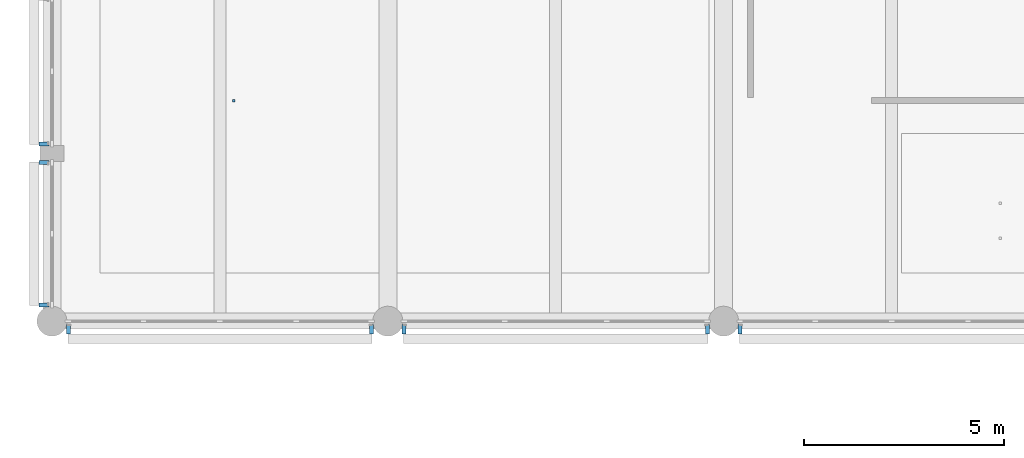
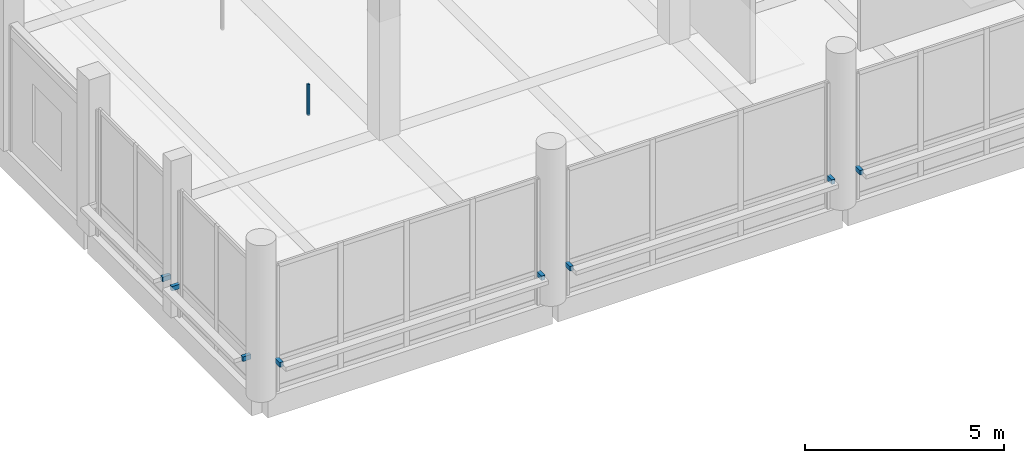
# One storey, part 60 of 122: 9 discrete accessories.
"""IFC4 building model written with IfcOpenShell, lengths in metres."""

from ifc_helpers import new_model, si_unit, direction, frame, origin, origin_2d, place, context, subcontext, project, spatial, rectangle, extrude, material, type_object, element, save


model = new_model("IFC4")

# Units and contexts
model_context = context("Model", 3, precision=1e-05, world=origin(), true_north=direction((0.0, 1.0)))
body_context = subcontext(model_context, "Body", "Model", "MODEL_VIEW")
ifc_project = project(units=[si_unit("LENGTHUNIT", "METRE"), si_unit("AREAUNIT", "SQUARE_METRE"), si_unit("VOLUMEUNIT", "CUBIC_METRE"), si_unit("PLANEANGLEUNIT", "RADIAN"), si_unit("MASSUNIT", "GRAM", prefix="KILO")], contexts=[model_context])

# Site, building, storey
site_placement = place(None, origin())
site = spatial("IfcSite", under=ifc_project, at=site_placement, CompositionType="ELEMENT")
building_placement = place(site_placement, origin())
building = spatial("IfcBuilding", under=site, at=building_placement, Name="Telukmera Botanical Conservatory", CompositionType="ELEMENT")
storey_placement = place(building_placement, frame((0.0, 0.0, 10.199951171875)))
storey = spatial("IfcBuildingStorey", under=building, at=storey_placement, Name="L02", CompositionType="ELEMENT", Elevation=10.199951171875)

# Discrete accessories
ifc_material = material(Name="Steel S355", Category="steel")
discrete_accessory_type_1 = type_object("IfcDiscreteAccessoryType", Name="ACC-CEIL-HGR", PredefinedType="BRACKET", material=ifc_material)
discrete_accessory_placement = place(storey_placement, frame((12.95068359375, 23.112548828125, 3.60986328125), z_axis=(0.0, 0.0, 1.0), x_axis=(1.0, 0.0, 0.0)))
element("IfcDiscreteAccessory", 1, at=discrete_accessory_placement, inside=storey, type_object=discrete_accessory_type_1, Name="L02 Suspended Ceiling Hanger Rod 010-1", PredefinedType="BRACKET", context=body_context, shape_type="SweptSolid", body=[
    extrude(rectangle(XDim=0.06005859375, YDim=0.06005859375, at=origin_2d()), origin(), (0.0, 0.0, 1.0), 0.945068359375),
])
discrete_accessory_type_2 = type_object("IfcDiscreteAccessoryType", Name="Structural Steel Facade Outrigger Fin Bracket", PredefinedType="BRACKET", material=ifc_material)
for number, where, z_axis, x_axis, name in (
    (2, (8.8095703125, 17.39990234375, 0.8798828125), (0.0, 0.0, 1.0), (1.0, 0.0, 0.0), "Facade Outrigger Bracket V3:L02:S1 A"),
    (3, (16.390380859375, 17.39990234375, 0.8798828125), (0.0, 0.0, 1.0), (1.0, 0.0, 0.0), "Facade Outrigger Bracket V3:L02:S1 B"),
    (4, (17.20947265625, 17.39990234375, 0.8798828125), (0.0, 0.0, 1.0), (1.0, 0.0, 0.0), "Facade Outrigger Bracket V3:L02:S2 A"),
    (5, (24.79052734375, 17.39990234375, 0.8798828125), (0.0, 0.0, 1.0), (1.0, 0.0, 0.0), "Facade Outrigger Bracket V3:L02:S2 B"),
    (6, (25.609619140625, 17.39990234375, 0.8798828125), (0.0, 0.0, 1.0), (1.0, 0.0, 0.0), "Facade Outrigger Bracket V3:L02:S3 A"),
    (7, (8.199951171875, 18.009521484375, 0.8798828125), (0.0, 0.0, 1.0), (0.0, 1.0, 0.0), "Facade Outrigger Bracket V3:L02:W1A A"),
    (8, (8.199951171875, 21.5654296875, 0.8798828125), (0.0, 0.0, 1.0), (0.0, 1.0, 0.0), "Facade Outrigger Bracket V3:L02:W1A B"),
    (9, (8.199951171875, 22.034423828125, 0.8798828125), (0.0, 0.0, 1.0), (0.0, 1.0, 0.0), "Facade Outrigger Bracket V3:L02:W1B A"),
):
    element("IfcDiscreteAccessory", number, at=place(storey_placement, frame(where, z_axis=z_axis, x_axis=x_axis)), inside=storey, type_object=discrete_accessory_type_2, Name=name, PredefinedType="BRACKET", context=body_context, shape_type="SweptSolid", body=[
        extrude(rectangle(XDim=0.10009765625, YDim=0.239990234375, at=origin_2d()), origin(), (0.0, 0.0, 1.0), 0.139892578125),
    ])

save(model, "model.ifc")
